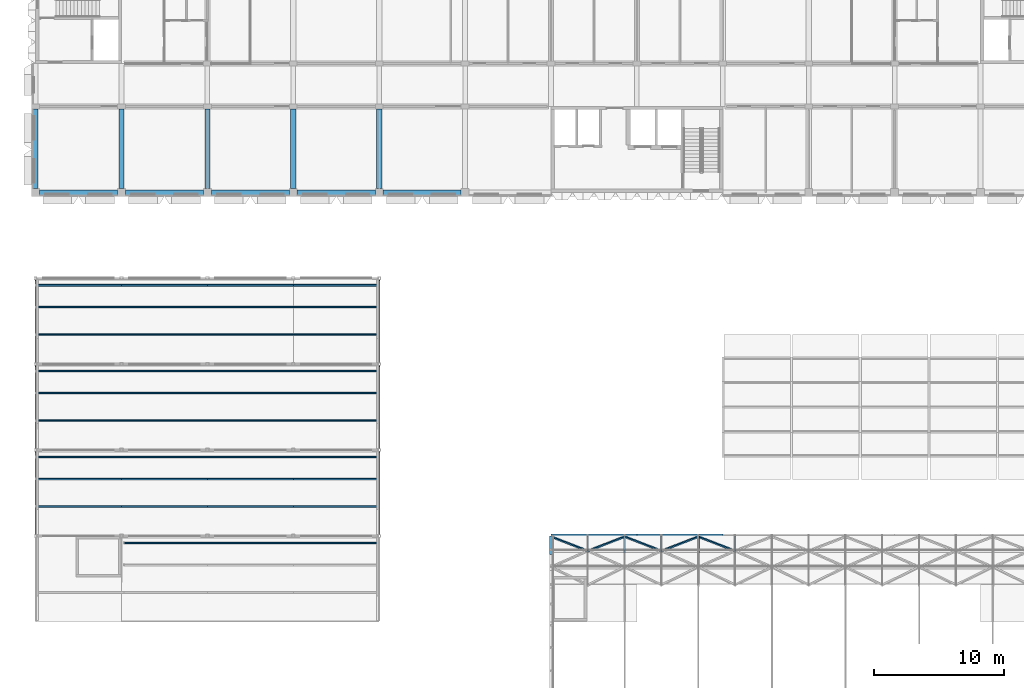
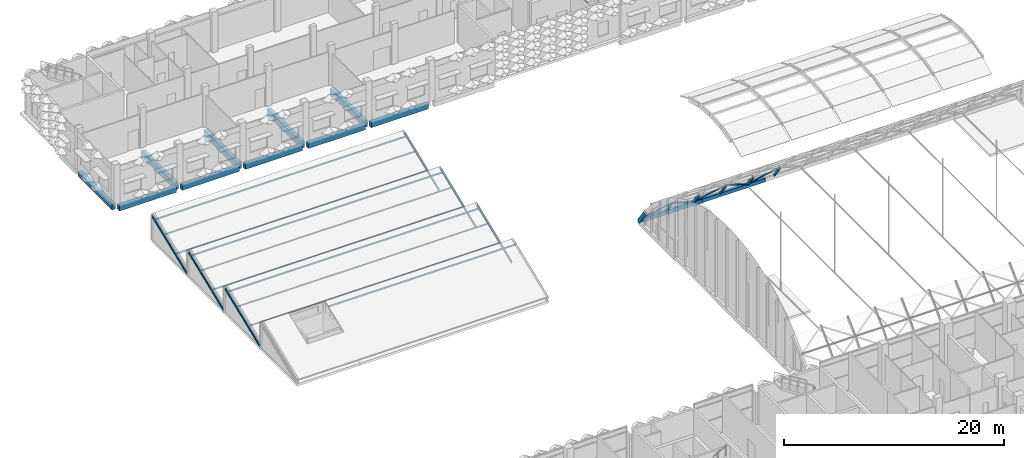
# One storey, part 38 of 109: 50 members, 18 beams.
"""IFC4 building model written with IfcOpenShell, lengths in metres."""

from ifc_helpers import new_model, si_unit, direction, frame, origin, origin_2d, place, context, subcontext, project, spatial, rectangle, hollow_rectangle, i_section, extrude, material, material_profile, profile_set, type_object, element, save


model = new_model("IFC4")

# Units and contexts
model_context = context("Model", 3, precision=1e-05, world=origin(), true_north=direction((0.0, 1.0)))
body_context = subcontext(model_context, "Body", "Model", "MODEL_VIEW")
ifc_project = project(units=[si_unit("LENGTHUNIT", "METRE"), si_unit("AREAUNIT", "SQUARE_METRE"), si_unit("VOLUMEUNIT", "CUBIC_METRE"), si_unit("PLANEANGLEUNIT", "RADIAN"), si_unit("MASSUNIT", "GRAM", prefix="KILO")], contexts=[model_context])

# Site, building, storey
site_placement = place(None, origin())
site = spatial("IfcSite", under=ifc_project, at=site_placement, CompositionType="ELEMENT")
building_placement = place(site_placement, origin())
building = spatial("IfcBuilding", under=site, at=building_placement, Name="Lantern Court Research Institute", CompositionType="ELEMENT")
storey_placement = place(building_placement, frame((0.0, 0.0, 14.39990234375)))
storey = spatial("IfcBuildingStorey", under=building, at=storey_placement, Name="L03", CompositionType="ELEMENT", Elevation=14.39990234375)

# Members
ifc_material_1 = material(Name="Structural steel S355", Category="steel")
ifc_material_profile_1 = material_profile(ifc_material_1, hollow_rectangle(XDim=0.25, YDim=0.39990234375, WallThickness=0.01611328125, at=origin_2d()), Name="Gable arch RHS 400 x 250 x 16")
ifc_profile_set_1 = profile_set([ifc_material_profile_1], Name="Structural steel S355")
member_type_1 = type_object("IfcMemberType", Name="Gable arch RHS 400 x 250 x 16", PredefinedType="RAFTER", material=ifc_profile_set_1)
member_1_placement = place(storey_placement, frame((39.60009765625, 54.84033203125, 1.839599609375), z_axis=(0.0, 0.576249781335, -0.817273631969), x_axis=(-1.0, 0.0, 0.0)))
element("IfcMember", 1, at=member_1_placement, inside=storey, type_object=member_type_1, Name="Gable arch", PredefinedType="RAFTER", context=body_context, shape_type="SweptSolid", body=[
    extrude(hollow_rectangle(XDim=0.25, YDim=0.39990234375, WallThickness=0.01611328125, at=origin_2d()), origin(), (0.0, 0.0, 1.0), 1.90234375),
])
ifc_material_2 = material(Name="Structural steel S355", Category="steel")
ifc_material_profile_2 = material_profile(ifc_material_2, hollow_rectangle(XDim=0.1201171875, YDim=0.1201171875, WallThickness=0.008056640625, at=origin_2d()), Name="Gridshell haunch diagonal RHS 120 x 120 x 8")
ifc_profile_set_2 = profile_set([ifc_material_profile_2], Name="Structural steel S355")
member_type_2 = type_object("IfcMemberType", Name="Gridshell haunch diagonal RHS 120 x 120 x 8", PredefinedType="BRACE", material=ifc_profile_set_2)
member_2_placement = place(storey_placement, frame((42.428466796875, 54.95458984375, 1.92041015625), z_axis=(-0.829735110058, 0.321652169121, -0.456157351399), x_axis=(-0.558157366986, -0.478113831457, 0.678135324142)))
element("IfcMember", 2, at=member_2_placement, inside=storey, type_object=member_type_2, Name="Gridshell diagonal", PredefinedType="BRACE", context=body_context, shape_type="SweptSolid", body=[
    extrude(hollow_rectangle(XDim=0.1201171875, YDim=0.1201171875, WallThickness=0.008056640625, at=origin_2d()), origin(), (0.0, 0.0, 1.0), 3.40869140625),
])
for number, where, z_axis, x_axis, name in (
    (3, (42.428466796875, 54.95458984375, 1.92041015625), (0.829757421007, 0.321633055217, -0.45613024464), (-0.558124199292, 0.478137532634, -0.678145912065), "Gridshell diagonal"),
    (4, (48.085693359375, 54.95458984375, 1.92041015625), (-0.829757421007, 0.321633055217, -0.45613024464), (-0.558124199292, -0.478137532634, 0.678145912065), "Gridshell diagonal"),
    (5, (48.085693359375, 54.95458984375, 1.92041015625), (0.829757421007, 0.321633055217, -0.45613024464), (-0.558124199292, 0.478137532634, -0.678145912065), "Gridshell diagonal"),
    (6, (53.742919921875, 54.95458984375, 1.92041015625), (-0.829757421007, 0.321633055217, -0.45613024464), (-0.558124199292, -0.478137532634, 0.678145912065), "Gridshell diagonal"),
):
    element("IfcMember", number, at=place(storey_placement, frame(where, z_axis=z_axis, x_axis=x_axis)), inside=storey, type_object=member_type_2, Name=name, PredefinedType="BRACE", context=body_context, shape_type="SweptSolid", body=[
        extrude(hollow_rectangle(XDim=0.1201171875, YDim=0.1201171875, WallThickness=0.008056640625, at=origin_2d()), origin(), (0.0, 0.0, 1.0), 3.408935546875),
    ])

# Beams
ifc_material_3 = material(Name="Structural steel S355", Category="steel")
ifc_material_profile_3 = material_profile(ifc_material_3, hollow_rectangle(XDim=0.300048828125, YDim=0.39990234375, WallThickness=0.01611328125, at=origin_2d()), Name="Gridshell ring beam RHS 400 x 300 x 16")
ifc_profile_set_3 = profile_set([ifc_material_profile_3], Name="Structural steel S355")
beam_type_1 = type_object("IfcBeamType", Name="Gridshell ring beam RHS 400 x 300 x 16", PredefinedType="BEAM", material=ifc_profile_set_3)
beam_1_placement = place(storey_placement, frame((39.60009765625, 56.10009765625, 0.2001953125), z_axis=(1.0, 0.0, 0.0), x_axis=(0.0, 1.0, 0.0)))
element("IfcBeam", 7, at=beam_1_placement, inside=storey, type_object=beam_type_1, Name="Ring beam N", PredefinedType="BEAM", context=body_context, shape_type="SweptSolid", body=[
    extrude(hollow_rectangle(XDim=0.300048828125, YDim=0.39990234375, WallThickness=0.01611328125, at=origin_2d()), origin(), (0.0, 0.0, 1.0), 6.599853515625),
])
beam_2_placement = place(storey_placement, frame((46.199951171875, 56.10009765625, 0.2001953125), z_axis=(1.0, 0.0, 0.0), x_axis=(0.0, 1.0, 0.0)))
element("IfcBeam", 8, at=beam_2_placement, inside=storey, type_object=beam_type_1, Name="Ring beam N", PredefinedType="BEAM", context=body_context, shape_type="SweptSolid", body=[
    extrude(hollow_rectangle(XDim=0.300048828125, YDim=0.39990234375, WallThickness=0.01611328125, at=origin_2d()), origin(), (0.0, 0.0, 1.0), 6.60009765625),
])

# Members
ifc_material_4 = material(Name="Structural steel S355", Category="steel")
ifc_material_profile_4 = material_profile(ifc_material_4, hollow_rectangle(XDim=0.1201171875, YDim=0.199951171875, WallThickness=0.008056640625, at=origin_2d()), Name="Gridshell secondary rib RHS 200 x 120 x 8")
ifc_profile_set_4 = profile_set([ifc_material_profile_4], Name="Structural steel S355")
member_type_3 = type_object("IfcMemberType", Name="Gridshell secondary rib RHS 200 x 120 x 8", PredefinedType="RAFTER", material=ifc_profile_set_4)
for number, where, z_axis, x_axis, name in (
    (9, (42.428466796875, 54.921875, 1.897216796875), (0.0, 0.576335495229, -0.817213189406), (-1.0, 0.0, 0.0), "Gridshell secondary rib"),
    (10, (48.085693359375, 54.921875, 1.897216796875), (0.0, 0.576335495229, -0.817213189406), (-1.0, 0.0, 0.0), "Gridshell secondary rib"),
    (11, (53.742919921875, 54.921875, 1.897216796875), (0.0, 0.576335495229, -0.817213189406), (-1.0, 0.0, 0.0), "Gridshell secondary rib"),
):
    element("IfcMember", number, at=place(storey_placement, frame(where, z_axis=z_axis, x_axis=x_axis)), inside=storey, type_object=member_type_3, Name=name, PredefinedType="RAFTER", context=body_context, shape_type="SweptSolid", body=[
        extrude(hollow_rectangle(XDim=0.1201171875, YDim=0.199951171875, WallThickness=0.008056640625, at=origin_2d()), origin(), (0.0, 0.0, 1.0), 1.90234375),
    ])
ifc_material_5 = material(Name="Structural steel S355", Category="steel")
ifc_material_profile_5 = material_profile(ifc_material_5, hollow_rectangle(XDim=0.14990234375, YDim=0.25, WallThickness=0.010009765625, at=origin_2d()), Name="Gridshell springing rib RHS 250 x 150 x 10")
ifc_profile_set_5 = profile_set([ifc_material_profile_5], Name="Structural steel S355")
member_type_4 = type_object("IfcMemberType", Name="Gridshell springing rib RHS 250 x 150 x 10", PredefinedType="RAFTER", material=ifc_profile_set_5)
for number, where, z_axis, x_axis, name in (
    (12, (45.257080078125, 54.901611328125, 1.8828125), (0.0, 0.576249781335, -0.817273631969), (-1.0, 0.0, 0.0), "Gridshell rib"),
    (13, (50.914306640625, 54.901611328125, 1.8828125), (0.0, 0.576249781335, -0.817273631969), (-1.0, 0.0, 0.0), "Gridshell rib"),
):
    element("IfcMember", number, at=place(storey_placement, frame(where, z_axis=z_axis, x_axis=x_axis)), inside=storey, type_object=member_type_4, Name=name, PredefinedType="RAFTER", context=body_context, shape_type="SweptSolid", body=[
        extrude(hollow_rectangle(XDim=0.14990234375, YDim=0.25, WallThickness=0.010009765625, at=origin_2d()), origin(), (0.0, 0.0, 1.0), 1.90234375),
    ])

# Beams
ifc_material_6 = material(Name="Concrete C40/50", Category="concrete")
ifc_material_profile_6 = material_profile(ifc_material_6, rectangle(XDim=0.39990234375, YDim=0.699951171875, at=origin_2d()), Name="RC beam 400 x 700")
ifc_profile_set_6 = profile_set([ifc_material_profile_6], Name="Concrete C40/50")
beam_type_2 = type_object("IfcBeamType", Name="RC beam 400 x 700", PredefinedType="BEAM", material=ifc_profile_set_6)
for number, where, z_axis, x_axis, name in (
    (14, (6.60009765625, 82.800048828125, -0.599853515625), (0.0, 1.0, 0.0), (-1.0, 0.0, 0.0), "Beam L03 grid 2/J-K"),
    (15, (13.199951171875, 82.800048828125, -0.599853515625), (0.0, 1.0, 0.0), (-1.0, 0.0, 0.0), "Beam L03 grid 3/J-K"),
    (16, (19.800048828125, 82.800048828125, -0.599853515625), (0.0, 1.0, 0.0), (-1.0, 0.0, 0.0), "Beam L03 grid 4/J-K"),
    (17, (26.39990234375, 82.800048828125, -0.599853515625), (0.0, 1.0, 0.0), (-1.0, 0.0, 0.0), "Beam L03 grid 5/J-K"),
):
    element("IfcBeam", number, at=place(storey_placement, frame(where, z_axis=z_axis, x_axis=x_axis)), inside=storey, type_object=beam_type_2, Name=name, PredefinedType="BEAM", context=body_context, shape_type="SweptSolid", body=[
        extrude(rectangle(XDim=0.39990234375, YDim=0.699951171875, at=origin_2d()), origin(), (0.0, 0.0, 1.0), 6.099853515625),
    ])
ifc_material_7 = material(Name="Concrete C40/50", Category="concrete")
ifc_material_profile_7 = material_profile(ifc_material_7, rectangle(XDim=0.39990234375, YDim=0.60009765625, at=origin_2d()), Name="RC beam 400 x 600")
ifc_profile_set_7 = profile_set([ifc_material_profile_7], Name="Concrete C40/50")
beam_type_3 = type_object("IfcBeamType", Name="RC edge beam 400 x 600", PredefinedType="BEAM", material=ifc_profile_set_7)
beam_3_placement = place(storey_placement, frame((0.0, 82.800048828125, -0.5498046875), z_axis=(0.0, 1.0, 0.0), x_axis=(-1.0, 0.0, 0.0)))
element("IfcBeam", 18, at=beam_3_placement, inside=storey, type_object=beam_type_3, Name="Edge beam L03 grid 1/J-K", PredefinedType="BEAM", context=body_context, shape_type="SweptSolid", body=[
    extrude(rectangle(XDim=0.39990234375, YDim=0.60009765625, at=origin_2d()), origin(), (0.0, 0.0, 1.0), 6.099853515625),
])
for number, where, z_axis, x_axis, name in (
    (19, (0.300048828125, 82.5, -0.5498046875), (1.0, 0.0, 0.0), (0.0, 1.0, 0.0), "Edge beam L03 grid J/1-2"),
    (20, (6.89990234375, 82.5, -0.5498046875), (1.0, 0.0, 0.0), (0.0, 1.0, 0.0), "Edge beam L03 grid J/2-3"),
    (21, (13.5, 82.5, -0.5498046875), (1.0, 0.0, 0.0), (0.0, 1.0, 0.0), "Edge beam L03 grid J/3-4"),
    (22, (20.10009765625, 82.5, -0.5498046875), (1.0, 0.0, 0.0), (0.0, 1.0, 0.0), "Edge beam L03 grid J/4-5"),
    (23, (26.699951171875, 82.5, -0.5498046875), (1.0, 0.0, 0.0), (0.0, 1.0, 0.0), "Edge beam L03 grid J/5-6"),
):
    element("IfcBeam", number, at=place(storey_placement, frame(where, z_axis=z_axis, x_axis=x_axis)), inside=storey, type_object=beam_type_3, Name=name, PredefinedType="BEAM", context=body_context, shape_type="SweptSolid", body=[
        extrude(rectangle(XDim=0.39990234375, YDim=0.60009765625, at=origin_2d()), origin(), (0.0, 0.0, 1.0), 6.0),
    ])
ifc_material_8 = material(Name="Structural steel S355", Category="steel")
ifc_material_profile_8 = material_profile(ifc_material_8, i_section(OverallWidth=0.110107421875, OverallDepth=0.219970703125, WebThickness=0.005859375, FlangeThickness=0.00927734375, FilletRadius=0.011962890625, at=origin_2d()), Name="IPE 220")
ifc_profile_set_8 = profile_set([ifc_material_profile_8], Name="Structural steel S355")
beam_type_4 = type_object("IfcBeamType", Name="Sawtooth edge rafter IPE 220", PredefinedType="BEAM", material=ifc_profile_set_8)
for number, where, z_axis, x_axis, name in (
    (24, (0.0, 56.22509765625, 0.12548828125), (0.0, 0.928471766928, 0.37140298601), (-1.0, 0.0, 0.0), "Sawtooth rafter"),
    (25, (26.39990234375, 56.22509765625, 0.12548828125), (0.0, 0.928471766928, 0.37140298601), (-1.0, 0.0, 0.0), "Sawtooth rafter"),
):
    element("IfcBeam", number, at=place(storey_placement, frame(where, z_axis=z_axis, x_axis=x_axis)), inside=storey, type_object=beam_type_4, Name=name, PredefinedType="BEAM", context=body_context, shape_type="SweptSolid", body=[
        extrude(i_section(OverallWidth=0.110107421875, OverallDepth=0.219970703125, WebThickness=0.005859375, FlangeThickness=0.00927734375, FilletRadius=0.011962890625, at=origin_2d()), origin(), (0.0, 0.0, 1.0), 6.839111328125),
    ])
for number, where, z_axis, x_axis, name in (
    (26, (0.0, 62.824951171875, 0.12548828125), (0.0, 0.928476690885, 0.371390676354), (-1.0, 0.0, 0.0), "Sawtooth rafter"),
    (27, (26.39990234375, 62.824951171875, 0.12548828125), (0.0, 0.928476690885, 0.371390676354), (-1.0, 0.0, 0.0), "Sawtooth rafter"),
):
    element("IfcBeam", number, at=place(storey_placement, frame(where, z_axis=z_axis, x_axis=x_axis)), inside=storey, type_object=beam_type_4, Name=name, PredefinedType="BEAM", context=body_context, shape_type="SweptSolid", body=[
        extrude(i_section(OverallWidth=0.110107421875, OverallDepth=0.219970703125, WebThickness=0.005859375, FlangeThickness=0.00927734375, FilletRadius=0.011962890625, at=origin_2d()), origin(), (0.0, 0.0, 1.0), 6.83935546875),
    ])
for number, where, z_axis, x_axis, name in (
    (28, (0.0, 69.425048828125, 0.12548828125), (0.0, 0.928471766928, 0.37140298601), (-1.0, 0.0, 0.0), "Sawtooth rafter"),
    (29, (26.39990234375, 69.425048828125, 0.12548828125), (0.0, 0.928471766928, 0.37140298601), (-1.0, 0.0, 0.0), "Sawtooth rafter"),
):
    element("IfcBeam", number, at=place(storey_placement, frame(where, z_axis=z_axis, x_axis=x_axis)), inside=storey, type_object=beam_type_4, Name=name, PredefinedType="BEAM", context=body_context, shape_type="SweptSolid", body=[
        extrude(i_section(OverallWidth=0.110107421875, OverallDepth=0.219970703125, WebThickness=0.005859375, FlangeThickness=0.00927734375, FilletRadius=0.011962890625, at=origin_2d()), origin(), (0.0, 0.0, 1.0), 6.839111328125),
    ])

# Members
ifc_material_9 = material(Name="Structural steel S355", Category="steel")
ifc_material_profile_9 = material_profile(ifc_material_9, hollow_rectangle(XDim=0.10009765625, YDim=0.14990234375, WallThickness=0.00634765625, at=origin_2d()), Name="Sawtooth purlin RHS 150 x 100 x 6.3")
ifc_profile_set_9 = profile_set([ifc_material_profile_9], Name="Structural steel S355")
member_type_5 = type_object("IfcMemberType", Name="Sawtooth purlin RHS 150 x 100 x 6.3", PredefinedType="PURLIN", material=ifc_profile_set_9)
member_3_placement = place(storey_placement, frame((0.0, 58.36962890625, 1.0478515625), z_axis=(1.0, 0.0, 0.0), x_axis=(0.0, 0.928476694038, 0.371390668473)))
element("IfcMember", 30, at=member_3_placement, inside=storey, type_object=member_type_5, Name="Sawtooth purlin", PredefinedType="PURLIN", context=body_context, shape_type="SweptSolid", body=[
    extrude(hollow_rectangle(XDim=0.10009765625, YDim=0.14990234375, WallThickness=0.00634765625, at=origin_2d()), origin(), (0.0, 0.0, 1.0), 6.60009765625),
])
member_4_placement = place(storey_placement, frame((6.60009765625, 58.36962890625, 1.0478515625), z_axis=(1.0, 0.0, 0.0), x_axis=(0.0, 0.928476694038, 0.371390668473)))
element("IfcMember", 31, at=member_4_placement, inside=storey, type_object=member_type_5, Name="Sawtooth purlin", PredefinedType="PURLIN", context=body_context, shape_type="SweptSolid", body=[
    extrude(hollow_rectangle(XDim=0.10009765625, YDim=0.14990234375, WallThickness=0.00634765625, at=origin_2d()), origin(), (0.0, 0.0, 1.0), 6.599853515625),
])
member_5_placement = place(storey_placement, frame((13.199951171875, 58.36962890625, 1.0478515625), z_axis=(1.0, 0.0, 0.0), x_axis=(0.0, 0.928476694038, 0.371390668473)))
element("IfcMember", 32, at=member_5_placement, inside=storey, type_object=member_type_5, Name="Sawtooth purlin", PredefinedType="PURLIN", context=body_context, shape_type="SweptSolid", body=[
    extrude(hollow_rectangle(XDim=0.10009765625, YDim=0.14990234375, WallThickness=0.00634765625, at=origin_2d()), origin(), (0.0, 0.0, 1.0), 6.60009765625),
])
member_6_placement = place(storey_placement, frame((19.800048828125, 58.36962890625, 1.0478515625), z_axis=(1.0, 0.0, 0.0), x_axis=(0.0, 0.928476694038, 0.371390668473)))
element("IfcMember", 33, at=member_6_placement, inside=storey, type_object=member_type_5, Name="Sawtooth purlin", PredefinedType="PURLIN", context=body_context, shape_type="SweptSolid", body=[
    extrude(hollow_rectangle(XDim=0.10009765625, YDim=0.14990234375, WallThickness=0.00634765625, at=origin_2d()), origin(), (0.0, 0.0, 1.0), 6.599853515625),
])
member_7_placement = place(storey_placement, frame((0.0, 60.486083984375, 1.89453125), z_axis=(1.0, 0.0, 0.0), x_axis=(0.0, 0.928476694038, 0.371390668473)))
element("IfcMember", 34, at=member_7_placement, inside=storey, type_object=member_type_5, Name="Sawtooth purlin", PredefinedType="PURLIN", context=body_context, shape_type="SweptSolid", body=[
    extrude(hollow_rectangle(XDim=0.10009765625, YDim=0.14990234375, WallThickness=0.00634765625, at=origin_2d()), origin(), (0.0, 0.0, 1.0), 6.60009765625),
])
member_8_placement = place(storey_placement, frame((6.60009765625, 60.486083984375, 1.89453125), z_axis=(1.0, 0.0, 0.0), x_axis=(0.0, 0.928476694038, 0.371390668473)))
element("IfcMember", 35, at=member_8_placement, inside=storey, type_object=member_type_5, Name="Sawtooth purlin", PredefinedType="PURLIN", context=body_context, shape_type="SweptSolid", body=[
    extrude(hollow_rectangle(XDim=0.10009765625, YDim=0.14990234375, WallThickness=0.00634765625, at=origin_2d()), origin(), (0.0, 0.0, 1.0), 6.599853515625),
])
member_9_placement = place(storey_placement, frame((13.199951171875, 60.486083984375, 1.89453125), z_axis=(1.0, 0.0, 0.0), x_axis=(0.0, 0.928476694038, 0.371390668473)))
element("IfcMember", 36, at=member_9_placement, inside=storey, type_object=member_type_5, Name="Sawtooth purlin", PredefinedType="PURLIN", context=body_context, shape_type="SweptSolid", body=[
    extrude(hollow_rectangle(XDim=0.10009765625, YDim=0.14990234375, WallThickness=0.00634765625, at=origin_2d()), origin(), (0.0, 0.0, 1.0), 6.60009765625),
])
member_10_placement = place(storey_placement, frame((19.800048828125, 60.486083984375, 1.89453125), z_axis=(1.0, 0.0, 0.0), x_axis=(0.0, 0.928476694038, 0.371390668473)))
element("IfcMember", 37, at=member_10_placement, inside=storey, type_object=member_type_5, Name="Sawtooth purlin", PredefinedType="PURLIN", context=body_context, shape_type="SweptSolid", body=[
    extrude(hollow_rectangle(XDim=0.10009765625, YDim=0.14990234375, WallThickness=0.00634765625, at=origin_2d()), origin(), (0.0, 0.0, 1.0), 6.599853515625),
])
member_11_placement = place(storey_placement, frame((0.0, 64.969482421875, 1.0478515625), z_axis=(1.0, 0.0, 0.0), x_axis=(0.0, 0.928476694038, 0.371390668473)))
element("IfcMember", 38, at=member_11_placement, inside=storey, type_object=member_type_5, Name="Sawtooth purlin", PredefinedType="PURLIN", context=body_context, shape_type="SweptSolid", body=[
    extrude(hollow_rectangle(XDim=0.10009765625, YDim=0.14990234375, WallThickness=0.00634765625, at=origin_2d()), origin(), (0.0, 0.0, 1.0), 6.60009765625),
])
member_12_placement = place(storey_placement, frame((6.60009765625, 64.969482421875, 1.0478515625), z_axis=(1.0, 0.0, 0.0), x_axis=(0.0, 0.928476694038, 0.371390668473)))
element("IfcMember", 39, at=member_12_placement, inside=storey, type_object=member_type_5, Name="Sawtooth purlin", PredefinedType="PURLIN", context=body_context, shape_type="SweptSolid", body=[
    extrude(hollow_rectangle(XDim=0.10009765625, YDim=0.14990234375, WallThickness=0.00634765625, at=origin_2d()), origin(), (0.0, 0.0, 1.0), 6.599853515625),
])
member_13_placement = place(storey_placement, frame((13.199951171875, 64.969482421875, 1.0478515625), z_axis=(1.0, 0.0, 0.0), x_axis=(0.0, 0.928476694038, 0.371390668473)))
element("IfcMember", 40, at=member_13_placement, inside=storey, type_object=member_type_5, Name="Sawtooth purlin", PredefinedType="PURLIN", context=body_context, shape_type="SweptSolid", body=[
    extrude(hollow_rectangle(XDim=0.10009765625, YDim=0.14990234375, WallThickness=0.00634765625, at=origin_2d()), origin(), (0.0, 0.0, 1.0), 6.60009765625),
])
member_14_placement = place(storey_placement, frame((19.800048828125, 64.969482421875, 1.0478515625), z_axis=(1.0, 0.0, 0.0), x_axis=(0.0, 0.928476694038, 0.371390668473)))
element("IfcMember", 41, at=member_14_placement, inside=storey, type_object=member_type_5, Name="Sawtooth purlin", PredefinedType="PURLIN", context=body_context, shape_type="SweptSolid", body=[
    extrude(hollow_rectangle(XDim=0.10009765625, YDim=0.14990234375, WallThickness=0.00634765625, at=origin_2d()), origin(), (0.0, 0.0, 1.0), 6.599853515625),
])
member_15_placement = place(storey_placement, frame((0.0, 67.086181640625, 1.89453125), z_axis=(1.0, 0.0, 0.0), x_axis=(0.0, 0.928476694038, 0.371390668473)))
element("IfcMember", 42, at=member_15_placement, inside=storey, type_object=member_type_5, Name="Sawtooth purlin", PredefinedType="PURLIN", context=body_context, shape_type="SweptSolid", body=[
    extrude(hollow_rectangle(XDim=0.10009765625, YDim=0.14990234375, WallThickness=0.00634765625, at=origin_2d()), origin(), (0.0, 0.0, 1.0), 6.60009765625),
])
member_16_placement = place(storey_placement, frame((6.60009765625, 67.086181640625, 1.89453125), z_axis=(1.0, 0.0, 0.0), x_axis=(0.0, 0.928476694038, 0.371390668473)))
element("IfcMember", 43, at=member_16_placement, inside=storey, type_object=member_type_5, Name="Sawtooth purlin", PredefinedType="PURLIN", context=body_context, shape_type="SweptSolid", body=[
    extrude(hollow_rectangle(XDim=0.10009765625, YDim=0.14990234375, WallThickness=0.00634765625, at=origin_2d()), origin(), (0.0, 0.0, 1.0), 6.599853515625),
])
member_17_placement = place(storey_placement, frame((13.199951171875, 67.086181640625, 1.89453125), z_axis=(1.0, 0.0, 0.0), x_axis=(0.0, 0.928476694038, 0.371390668473)))
element("IfcMember", 44, at=member_17_placement, inside=storey, type_object=member_type_5, Name="Sawtooth purlin", PredefinedType="PURLIN", context=body_context, shape_type="SweptSolid", body=[
    extrude(hollow_rectangle(XDim=0.10009765625, YDim=0.14990234375, WallThickness=0.00634765625, at=origin_2d()), origin(), (0.0, 0.0, 1.0), 6.60009765625),
])
member_18_placement = place(storey_placement, frame((19.800048828125, 67.086181640625, 1.89453125), z_axis=(1.0, 0.0, 0.0), x_axis=(0.0, 0.928476694038, 0.371390668473)))
element("IfcMember", 45, at=member_18_placement, inside=storey, type_object=member_type_5, Name="Sawtooth purlin", PredefinedType="PURLIN", context=body_context, shape_type="SweptSolid", body=[
    extrude(hollow_rectangle(XDim=0.10009765625, YDim=0.14990234375, WallThickness=0.00634765625, at=origin_2d()), origin(), (0.0, 0.0, 1.0), 6.599853515625),
])
member_19_placement = place(storey_placement, frame((0.0, 71.569580078125, 1.0478515625), z_axis=(1.0, 0.0, 0.0), x_axis=(0.0, 0.928476694038, 0.371390668473)))
element("IfcMember", 46, at=member_19_placement, inside=storey, type_object=member_type_5, Name="Sawtooth purlin", PredefinedType="PURLIN", context=body_context, shape_type="SweptSolid", body=[
    extrude(hollow_rectangle(XDim=0.10009765625, YDim=0.14990234375, WallThickness=0.00634765625, at=origin_2d()), origin(), (0.0, 0.0, 1.0), 6.60009765625),
])
member_20_placement = place(storey_placement, frame((6.60009765625, 71.569580078125, 1.0478515625), z_axis=(1.0, 0.0, 0.0), x_axis=(0.0, 0.928476694038, 0.371390668473)))
element("IfcMember", 47, at=member_20_placement, inside=storey, type_object=member_type_5, Name="Sawtooth purlin", PredefinedType="PURLIN", context=body_context, shape_type="SweptSolid", body=[
    extrude(hollow_rectangle(XDim=0.10009765625, YDim=0.14990234375, WallThickness=0.00634765625, at=origin_2d()), origin(), (0.0, 0.0, 1.0), 6.599853515625),
])
member_21_placement = place(storey_placement, frame((13.199951171875, 71.569580078125, 1.0478515625), z_axis=(1.0, 0.0, 0.0), x_axis=(0.0, 0.928476694038, 0.371390668473)))
element("IfcMember", 48, at=member_21_placement, inside=storey, type_object=member_type_5, Name="Sawtooth purlin", PredefinedType="PURLIN", context=body_context, shape_type="SweptSolid", body=[
    extrude(hollow_rectangle(XDim=0.10009765625, YDim=0.14990234375, WallThickness=0.00634765625, at=origin_2d()), origin(), (0.0, 0.0, 1.0), 6.60009765625),
])
member_22_placement = place(storey_placement, frame((19.800048828125, 71.569580078125, 1.0478515625), z_axis=(1.0, 0.0, 0.0), x_axis=(0.0, 0.928476694038, 0.371390668473)))
element("IfcMember", 49, at=member_22_placement, inside=storey, type_object=member_type_5, Name="Sawtooth purlin", PredefinedType="PURLIN", context=body_context, shape_type="SweptSolid", body=[
    extrude(hollow_rectangle(XDim=0.10009765625, YDim=0.14990234375, WallThickness=0.00634765625, at=origin_2d()), origin(), (0.0, 0.0, 1.0), 6.599853515625),
])
member_23_placement = place(storey_placement, frame((0.0, 73.686279296875, 1.89453125), z_axis=(1.0, 0.0, 0.0), x_axis=(0.0, 0.928476694038, 0.371390668473)))
element("IfcMember", 50, at=member_23_placement, inside=storey, type_object=member_type_5, Name="Sawtooth purlin", PredefinedType="PURLIN", context=body_context, shape_type="SweptSolid", body=[
    extrude(hollow_rectangle(XDim=0.10009765625, YDim=0.14990234375, WallThickness=0.00634765625, at=origin_2d()), origin(), (0.0, 0.0, 1.0), 6.60009765625),
])
member_24_placement = place(storey_placement, frame((6.60009765625, 73.686279296875, 1.89453125), z_axis=(1.0, 0.0, 0.0), x_axis=(0.0, 0.928476694038, 0.371390668473)))
element("IfcMember", 51, at=member_24_placement, inside=storey, type_object=member_type_5, Name="Sawtooth purlin", PredefinedType="PURLIN", context=body_context, shape_type="SweptSolid", body=[
    extrude(hollow_rectangle(XDim=0.10009765625, YDim=0.14990234375, WallThickness=0.00634765625, at=origin_2d()), origin(), (0.0, 0.0, 1.0), 6.599853515625),
])
member_25_placement = place(storey_placement, frame((13.199951171875, 73.686279296875, 1.89453125), z_axis=(1.0, 0.0, 0.0), x_axis=(0.0, 0.928476694038, 0.371390668473)))
element("IfcMember", 52, at=member_25_placement, inside=storey, type_object=member_type_5, Name="Sawtooth purlin", PredefinedType="PURLIN", context=body_context, shape_type="SweptSolid", body=[
    extrude(hollow_rectangle(XDim=0.10009765625, YDim=0.14990234375, WallThickness=0.00634765625, at=origin_2d()), origin(), (0.0, 0.0, 1.0), 6.60009765625),
])
member_26_placement = place(storey_placement, frame((19.800048828125, 73.686279296875, 1.89453125), z_axis=(1.0, 0.0, 0.0), x_axis=(0.0, 0.928476694038, 0.371390668473)))
element("IfcMember", 53, at=member_26_placement, inside=storey, type_object=member_type_5, Name="Sawtooth purlin", PredefinedType="PURLIN", context=body_context, shape_type="SweptSolid", body=[
    extrude(hollow_rectangle(XDim=0.10009765625, YDim=0.14990234375, WallThickness=0.00634765625, at=origin_2d()), origin(), (0.0, 0.0, 1.0), 6.599853515625),
])
ifc_material_10 = material(Name="Structural steel S355", Category="steel")
ifc_material_profile_10 = material_profile(ifc_material_10, hollow_rectangle(XDim=0.10009765625, YDim=0.199951171875, WallThickness=0.008056640625, at=origin_2d()), Name="Sawtooth ridge purlin RHS 200 x 100 x 8")
ifc_profile_set_10 = profile_set([ifc_material_profile_10], Name="Structural steel S355")
member_type_6 = type_object("IfcMemberType", Name="Sawtooth ridge purlin RHS 200 x 100 x 8", PredefinedType="PURLIN", material=ifc_profile_set_10)
member_27_placement = place(storey_placement, frame((6.79248046875, 55.567626953125, 2.540283203125), z_axis=(1.0, 0.0, 0.0), x_axis=(0.0, 0.928476694038, 0.371390668473)))
element("IfcMember", 54, at=member_27_placement, inside=storey, type_object=member_type_6, Name="Sawtooth ridge purlin", PredefinedType="PURLIN", context=body_context, shape_type="SweptSolid", body=[
    extrude(hollow_rectangle(XDim=0.10009765625, YDim=0.199951171875, WallThickness=0.008056640625, at=origin_2d()), origin(), (0.0, 0.0, 1.0), 6.407470703125),
])
member_28_placement = place(storey_placement, frame((13.199951171875, 55.567626953125, 2.540283203125), z_axis=(1.0, 0.0, 0.0), x_axis=(0.0, 0.928476694038, 0.371390668473)))
element("IfcMember", 55, at=member_28_placement, inside=storey, type_object=member_type_6, Name="Sawtooth ridge purlin", PredefinedType="PURLIN", context=body_context, shape_type="SweptSolid", body=[
    extrude(hollow_rectangle(XDim=0.10009765625, YDim=0.199951171875, WallThickness=0.008056640625, at=origin_2d()), origin(), (0.0, 0.0, 1.0), 6.60009765625),
])
member_29_placement = place(storey_placement, frame((19.800048828125, 55.567626953125, 2.540283203125), z_axis=(1.0, 0.0, 0.0), x_axis=(0.0, 0.928476694038, 0.371390668473)))
element("IfcMember", 56, at=member_29_placement, inside=storey, type_object=member_type_6, Name="Sawtooth ridge purlin", PredefinedType="PURLIN", context=body_context, shape_type="SweptSolid", body=[
    extrude(hollow_rectangle(XDim=0.10009765625, YDim=0.199951171875, WallThickness=0.008056640625, at=origin_2d()), origin(), (0.0, 0.0, 1.0), 6.599853515625),
])
member_30_placement = place(storey_placement, frame((0.0, 62.167724609375, 2.540283203125), z_axis=(1.0, 0.0, 0.0), x_axis=(0.0, 0.928476694038, 0.371390668473)))
element("IfcMember", 57, at=member_30_placement, inside=storey, type_object=member_type_6, Name="Sawtooth ridge purlin", PredefinedType="PURLIN", context=body_context, shape_type="SweptSolid", body=[
    extrude(hollow_rectangle(XDim=0.10009765625, YDim=0.199951171875, WallThickness=0.008056640625, at=origin_2d()), origin(), (0.0, 0.0, 1.0), 6.60009765625),
])
member_31_placement = place(storey_placement, frame((6.60009765625, 62.167724609375, 2.540283203125), z_axis=(1.0, 0.0, 0.0), x_axis=(0.0, 0.928476694038, 0.371390668473)))
element("IfcMember", 58, at=member_31_placement, inside=storey, type_object=member_type_6, Name="Sawtooth ridge purlin", PredefinedType="PURLIN", context=body_context, shape_type="SweptSolid", body=[
    extrude(hollow_rectangle(XDim=0.10009765625, YDim=0.199951171875, WallThickness=0.008056640625, at=origin_2d()), origin(), (0.0, 0.0, 1.0), 6.599853515625),
])
member_32_placement = place(storey_placement, frame((13.199951171875, 62.167724609375, 2.540283203125), z_axis=(1.0, 0.0, 0.0), x_axis=(0.0, 0.928476694038, 0.371390668473)))
element("IfcMember", 59, at=member_32_placement, inside=storey, type_object=member_type_6, Name="Sawtooth ridge purlin", PredefinedType="PURLIN", context=body_context, shape_type="SweptSolid", body=[
    extrude(hollow_rectangle(XDim=0.10009765625, YDim=0.199951171875, WallThickness=0.008056640625, at=origin_2d()), origin(), (0.0, 0.0, 1.0), 6.60009765625),
])
member_33_placement = place(storey_placement, frame((19.800048828125, 62.167724609375, 2.540283203125), z_axis=(1.0, 0.0, 0.0), x_axis=(0.0, 0.928476694038, 0.371390668473)))
element("IfcMember", 60, at=member_33_placement, inside=storey, type_object=member_type_6, Name="Sawtooth ridge purlin", PredefinedType="PURLIN", context=body_context, shape_type="SweptSolid", body=[
    extrude(hollow_rectangle(XDim=0.10009765625, YDim=0.199951171875, WallThickness=0.008056640625, at=origin_2d()), origin(), (0.0, 0.0, 1.0), 6.599853515625),
])
member_34_placement = place(storey_placement, frame((0.0, 68.767578125, 2.540283203125), z_axis=(1.0, 0.0, 0.0), x_axis=(0.0, 0.928476694038, 0.371390668473)))
element("IfcMember", 61, at=member_34_placement, inside=storey, type_object=member_type_6, Name="Sawtooth ridge purlin", PredefinedType="PURLIN", context=body_context, shape_type="SweptSolid", body=[
    extrude(hollow_rectangle(XDim=0.10009765625, YDim=0.199951171875, WallThickness=0.008056640625, at=origin_2d()), origin(), (0.0, 0.0, 1.0), 6.60009765625),
])
member_35_placement = place(storey_placement, frame((6.60009765625, 68.767578125, 2.540283203125), z_axis=(1.0, 0.0, 0.0), x_axis=(0.0, 0.928476694038, 0.371390668473)))
element("IfcMember", 62, at=member_35_placement, inside=storey, type_object=member_type_6, Name="Sawtooth ridge purlin", PredefinedType="PURLIN", context=body_context, shape_type="SweptSolid", body=[
    extrude(hollow_rectangle(XDim=0.10009765625, YDim=0.199951171875, WallThickness=0.008056640625, at=origin_2d()), origin(), (0.0, 0.0, 1.0), 6.599853515625),
])
member_36_placement = place(storey_placement, frame((13.199951171875, 68.767578125, 2.540283203125), z_axis=(1.0, 0.0, 0.0), x_axis=(0.0, 0.928476694038, 0.371390668473)))
element("IfcMember", 63, at=member_36_placement, inside=storey, type_object=member_type_6, Name="Sawtooth ridge purlin", PredefinedType="PURLIN", context=body_context, shape_type="SweptSolid", body=[
    extrude(hollow_rectangle(XDim=0.10009765625, YDim=0.199951171875, WallThickness=0.008056640625, at=origin_2d()), origin(), (0.0, 0.0, 1.0), 6.60009765625),
])
member_37_placement = place(storey_placement, frame((19.800048828125, 68.767578125, 2.540283203125), z_axis=(1.0, 0.0, 0.0), x_axis=(0.0, 0.928476694038, 0.371390668473)))
element("IfcMember", 64, at=member_37_placement, inside=storey, type_object=member_type_6, Name="Sawtooth ridge purlin", PredefinedType="PURLIN", context=body_context, shape_type="SweptSolid", body=[
    extrude(hollow_rectangle(XDim=0.10009765625, YDim=0.199951171875, WallThickness=0.008056640625, at=origin_2d()), origin(), (0.0, 0.0, 1.0), 6.599853515625),
])
member_38_placement = place(storey_placement, frame((0.0, 75.36767578125, 2.540283203125), z_axis=(1.0, 0.0, 0.0), x_axis=(0.0, 0.928476694038, 0.371390668473)))
element("IfcMember", 65, at=member_38_placement, inside=storey, type_object=member_type_6, Name="Sawtooth ridge purlin", PredefinedType="PURLIN", context=body_context, shape_type="SweptSolid", body=[
    extrude(hollow_rectangle(XDim=0.10009765625, YDim=0.199951171875, WallThickness=0.008056640625, at=origin_2d()), origin(), (0.0, 0.0, 1.0), 6.60009765625),
])
member_39_placement = place(storey_placement, frame((6.60009765625, 75.36767578125, 2.540283203125), z_axis=(1.0, 0.0, 0.0), x_axis=(0.0, 0.928476694038, 0.371390668473)))
element("IfcMember", 66, at=member_39_placement, inside=storey, type_object=member_type_6, Name="Sawtooth ridge purlin", PredefinedType="PURLIN", context=body_context, shape_type="SweptSolid", body=[
    extrude(hollow_rectangle(XDim=0.10009765625, YDim=0.199951171875, WallThickness=0.008056640625, at=origin_2d()), origin(), (0.0, 0.0, 1.0), 6.599853515625),
])
member_40_placement = place(storey_placement, frame((13.199951171875, 75.36767578125, 2.540283203125), z_axis=(1.0, 0.0, 0.0), x_axis=(0.0, 0.928476694038, 0.371390668473)))
element("IfcMember", 67, at=member_40_placement, inside=storey, type_object=member_type_6, Name="Sawtooth ridge purlin", PredefinedType="PURLIN", context=body_context, shape_type="SweptSolid", body=[
    extrude(hollow_rectangle(XDim=0.10009765625, YDim=0.199951171875, WallThickness=0.008056640625, at=origin_2d()), origin(), (0.0, 0.0, 1.0), 6.60009765625),
])
member_41_placement = place(storey_placement, frame((19.800048828125, 75.36767578125, 2.540283203125), z_axis=(1.0, 0.0, 0.0), x_axis=(0.0, 0.928476694038, 0.371390668473)))
element("IfcMember", 68, at=member_41_placement, inside=storey, type_object=member_type_6, Name="Sawtooth ridge purlin", PredefinedType="PURLIN", context=body_context, shape_type="SweptSolid", body=[
    extrude(hollow_rectangle(XDim=0.10009765625, YDim=0.199951171875, WallThickness=0.008056640625, at=origin_2d()), origin(), (0.0, 0.0, 1.0), 6.599853515625),
])

save(model, "model.ifc")
